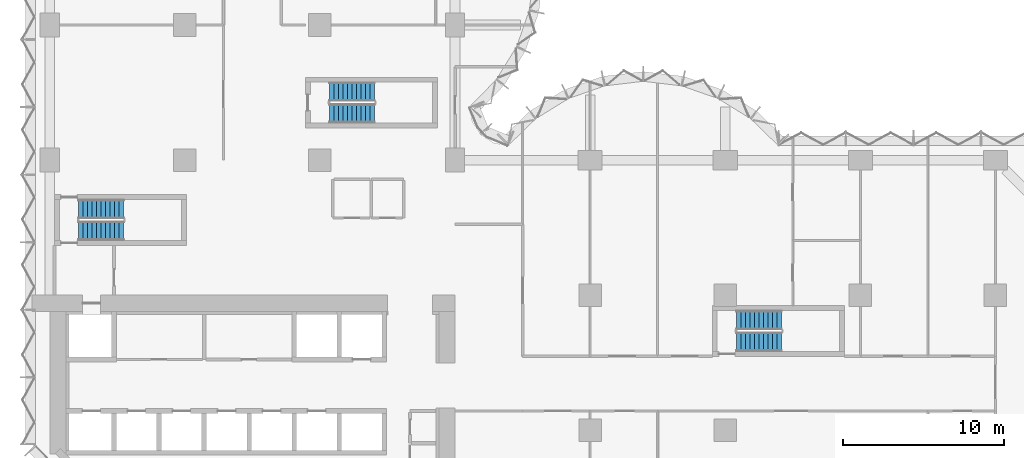
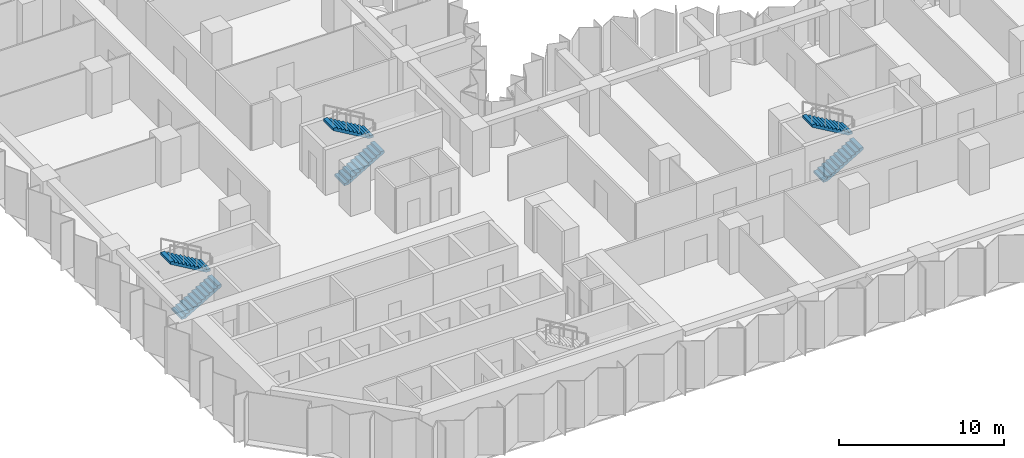
# One storey, part 12 of 15: 6 stair flights, 3 elements without a shape of their own.
"""IFC4 building model written with IfcOpenShell, lengths in metres."""

import ifcopenshell
import ifcopenshell.guid

model = None  # the IFC model being written
_history = None  # IfcOwnerHistory: only IFC2X3 demands one
_inside = {}  # id of a spatial element -> (the spatial element, [elements in it])
_under = {}  # id of a project, library or spatial element -> (it, [spatial elements below it])
_declared = {}  # id of a project -> (the project, [libraries it declares])
_typed = {}  # id of a type object -> (the type object, [elements of that type])
_made_of = {}  # id of a material, layer set ... -> (it, [elements and type objects made of it])


def new_model(schema):
    """Start an empty IFC model of exactly this schema.

    Asked for "IFC4X3", IfcOpenShell would pick the latest addendum, in which some entities
    have other attributes; the version numbers below select the first issue.
    IFC2X3 requires an IfcOwnerHistory on every rooted entity: one is made here for all.
    """
    global model, _history
    if schema == "IFC4X3":
        model = ifcopenshell.file(schema_version=(4, 3, 0, 0))
    else:
        model = ifcopenshell.file(schema=schema)
    _inside.clear()
    _under.clear()
    _declared.clear()
    _typed.clear()
    _made_of.clear()
    _history = None
    if model.schema == "IFC2X3":
        org = make("IfcOrganization", Name="unknown")
        user = make(
            "IfcPersonAndOrganization",
            ThePerson=make("IfcPerson", FamilyName="unknown"),
            TheOrganization=org,
        )
        app = make(
            "IfcApplication",
            ApplicationDeveloper=org,
            Version="unknown",
            ApplicationFullName="unknown",
            ApplicationIdentifier="unknown",
        )
        _history = make(
            "IfcOwnerHistory",
            OwningUser=user,
            OwningApplication=app,
            ChangeAction="ADDED",
            CreationDate=0,
        )
    return model


def make(cls, **values):
    """One entity of the class cls with the attributes given. An attribute that is None is left unset."""
    return model.create_entity(
        cls, **{name: value for name, value in values.items() if value is not None}
    )


def rooted(cls, **values):
    """An entity with a GlobalId (a new one), such as an element, a storey or a relation."""
    return make(cls, GlobalId=ifcopenshell.guid.new(), OwnerHistory=_history, **values)


def si_unit(unit_type, name, prefix=None):
    """IfcSIUnit, for example si_unit("LENGTHUNIT", "METRE", prefix="MILLI")."""
    return make("IfcSIUnit", UnitType=unit_type, Prefix=prefix, Name=name)


def assignment(units):
    """IfcUnitAssignment: the units of a project."""
    return None if units is None else make("IfcUnitAssignment", Units=units)


def point(xyz):
    """IfcCartesianPoint."""
    return None if xyz is None else make("IfcCartesianPoint", Coordinates=xyz)


def direction(xyz):
    """IfcDirection."""
    return None if xyz is None else make("IfcDirection", DirectionRatios=xyz)


def frame(location, z_axis=None, x_axis=None):
    """IfcAxis2Placement3D, a coordinate frame: its origin and axes. An axis left out is left unset."""
    return make(
        "IfcAxis2Placement3D",
        Location=point(location),
        Axis=direction(z_axis),
        RefDirection=direction(x_axis),
    )


def origin():
    """The frame at (0, 0, 0) with its axes left unset."""
    return frame((0.0, 0.0, 0.0))


def place(relative_to, where):
    """IfcLocalPlacement: puts the frame where relative to a parent placement (None: the world)."""
    return make(
        "IfcLocalPlacement", PlacementRelTo=relative_to, RelativePlacement=where
    )


def context(
    kind, dimensions, precision=None, world=None, true_north=None, identifier=None
):
    """IfcGeometricRepresentationContext, for example the 3D "Model" context."""
    return make(
        "IfcGeometricRepresentationContext",
        ContextIdentifier=identifier,
        ContextType=kind,
        CoordinateSpaceDimension=dimensions,
        Precision=precision,
        WorldCoordinateSystem=world,
        TrueNorth=true_north,
    )


def subcontext(parent, identifier, kind, view, scale=None):
    """IfcGeometricRepresentationSubContext, for example "Body" below "Model"."""
    return make(
        "IfcGeometricRepresentationSubContext",
        ContextIdentifier=identifier,
        ContextType=kind,
        ParentContext=parent,
        TargetScale=scale,
        TargetView=view,
    )


def project(units=None, contexts=None):
    """IfcProject with its units and contexts."""
    return rooted(
        "IfcProject",
        Name="project",
        RepresentationContexts=contexts,
        UnitsInContext=assignment(units),
    )


def spatial(cls, under=None, at=None, **own):
    """A site, building, storey or space (cls), placed at a placement, below another one or the project."""
    s = rooted(cls, ObjectPlacement=at, **own)
    if under is not None:
        _under.setdefault(under.id(), (under, []))[1].append(s)
    return s


def polyline(points):
    """IfcPolyline through the points."""
    return make("IfcPolyline", Points=[point(p) for p in points])


def outline(outer, holes=None, kind="AREA"):
    """IfcArbitraryClosedProfileDef: a profile drawn as a closed curve; with holes, ...WithVoids."""
    if holes is None:
        return make("IfcArbitraryClosedProfileDef", ProfileType=kind, OuterCurve=outer)
    return make(
        "IfcArbitraryProfileDefWithVoids",
        ProfileType=kind,
        OuterCurve=outer,
        InnerCurves=holes,
    )


def extrude(swept, where, along, depth):
    """IfcExtrudedAreaSolid: the profile swept, set in the frame where, extruded along a direction by depth."""
    return make(
        "IfcExtrudedAreaSolid",
        SweptArea=swept,
        Position=where,
        ExtrudedDirection=direction(along),
        Depth=depth,
    )


def shape(context_of_items, identifier, shape_type, items):
    """IfcShapeRepresentation: the items that make up one representation, for example the "Body"."""
    return make(
        "IfcShapeRepresentation",
        ContextOfItems=context_of_items,
        RepresentationIdentifier=identifier,
        RepresentationType=shape_type,
        Items=items,
    )


def material(Name=None, Category=None):
    """IfcMaterial."""
    return make("IfcMaterial", Name=Name, Category=Category)


def made_of(thing, what):
    """Note that an element or type object is made of a material, layer set ...; save() writes the relation."""
    if what is not None:
        _made_of.setdefault(what.id(), (what, []))[1].append(thing)
    return thing


def type_object(cls, material=None, **own):
    """A type object (cls), such as IfcWallType, which elements share."""
    return made_of(rooted(cls, **own), material)


def element(
    cls,
    number,
    at=None,
    inside=None,
    cuts=None,
    type_object=None,
    material=None,
    context=None,
    identifier="Body",
    shape_type=None,
    held_by="IfcProductDefinitionShape",
    body=None,
    shapes=None,
    **own,
):
    """One element of the class cls, such as IfcWall. Its Tag is "e" and its number.

    at: its placement. inside: the storey or other place that contains it. cuts: it is an
    opening in that element (IfcRelVoidsElement). A single representation is given by context,
    identifier, shape_type and body (its items); several are given by shapes. held_by: the class
    of the entity that holds the representations. save() writes the other relations.
    """
    e = rooted(cls, Tag="e%d" % number, ObjectPlacement=at, **own)
    if body is not None:
        shapes = [shape(context, identifier, shape_type, body)]
    if shapes is not None:
        e.Representation = make(held_by, Representations=shapes)
    if inside is not None:
        _inside.setdefault(inside.id(), (inside, []))[1].append(e)
    if cuts is not None:
        rooted(
            "IfcRelVoidsElement", RelatingBuildingElement=cuts, RelatedOpeningElement=e
        )
    if type_object is not None:
        _typed.setdefault(type_object.id(), (type_object, []))[1].append(e)
    return made_of(e, material)


def aggregate(whole, parts):
    """IfcRelAggregates: a whole, such as a stair, and the parts it consists of."""
    return rooted("IfcRelAggregates", RelatingObject=whole, RelatedObjects=parts)


def save(model, path):
    """Write the relations noted so far, then the file.

    IfcRelAggregates (storeys below a building ...), IfcRelContainedInSpatialStructure (elements
    in a storey), IfcRelDefinesByType, IfcRelAssociatesMaterial and IfcRelDeclares: one each for
    every whole, place, type object, material and project.
    """
    for whole, parts in _under.values():
        aggregate(whole, parts)
    for where, things in _inside.values():
        rooted(
            "IfcRelContainedInSpatialStructure",
            RelatedElements=things,
            RelatingStructure=where,
        )
    for kind, things in _typed.values():
        rooted("IfcRelDefinesByType", RelatedObjects=things, RelatingType=kind)
    for what, things in _made_of.values():
        rooted("IfcRelAssociatesMaterial", RelatedObjects=things, RelatingMaterial=what)
    for by, libraries in _declared.values():
        rooted("IfcRelDeclares", RelatingContext=by, RelatedDefinitions=libraries)
    model.write(path)


model = new_model("IFC4")

# Units and contexts
model_context = context("Model", 3, precision=1e-05, world=origin(), true_north=direction((0.0, 1.0)))
body_context = subcontext(model_context, "Body", "Model", "MODEL_VIEW")
ifc_project = project(units=[si_unit("LENGTHUNIT", "METRE"), si_unit("AREAUNIT", "SQUARE_METRE"), si_unit("VOLUMEUNIT", "CUBIC_METRE"), si_unit("PLANEANGLEUNIT", "RADIAN"), si_unit("MASSUNIT", "GRAM", prefix="KILO")], contexts=[model_context])

# Site, building, storey
site_placement = place(None, origin())
site = spatial("IfcSite", under=ifc_project, at=site_placement, CompositionType="ELEMENT")
building_placement = place(site_placement, origin())
building = spatial("IfcBuilding", under=site, at=building_placement, Name="Brevane Broadcast Tower", CompositionType="ELEMENT")
storey_placement = place(building_placement, frame((0.0, 0.0, 76.10009765625)))
storey = spatial("IfcBuildingStorey", under=building, at=storey_placement, Name="L17", CompositionType="ELEMENT", Elevation=76.10009765625)

# Stair, stair flights
ifc_material = material(Name="Concrete C50/60", Category="concrete")
stair_type = type_object("IfcStairType", Name="Exit stair 22 risers", PredefinedType="HALF_TURN_STAIR", material=ifc_material)
stair_1_placement = place(storey_placement, origin())
stair_1 = element("IfcStair", 1, at=stair_1_placement, inside=storey, type_object=stair_type, Name="L17 Exit stair ST-1", PredefinedType="HALF_TURN_STAIR")
stair_flight_type = type_object("IfcStairFlightType", Name="Exit stair flight 22 risers", PredefinedType="STRAIGHT", material=ifc_material)
stair_flight_1_placement = place(storey_placement, frame((1.800048828125, 20.800048828125, 0.0), z_axis=(0.0, 0.0, 1.0), x_axis=(1.0, 0.0, 0.0)))
stair_flight_1 = element("IfcStairFlight", 2, at=stair_flight_1_placement, type_object=stair_flight_type, Name="ST-1 flight 1", NumberOfRisers=11, NumberOfTreads=10, PredefinedType="STRAIGHT", RiserHeight=0.163636364, TreadLength=0.28, context=body_context, shape_type="SweptSolid", body=[
    extrude(outline(polyline([(0.0, 0.0), (0.0, 0.16357421875), (0.280029296875, 0.16357421875), (0.280029296875, 0.327392578125), (0.56005859375, 0.327392578125), (0.56005859375, 0.490966796875), (0.840087890625, 0.490966796875), (0.840087890625, 0.654541015625), (1.1201171875, 0.654541015625), (1.1201171875, 0.818115234375), (1.39990234375, 0.818115234375), (1.39990234375, 0.98193359375), (1.679931640625, 0.98193359375), (1.679931640625, 1.1455078125), (1.9599609375, 1.1455078125), (1.9599609375, 1.30908203125), (2.239990234375, 1.30908203125), (2.239990234375, 1.47265625), (2.52001953125, 1.47265625), (2.52001953125, 1.636474609375), (2.800048828125, 1.636474609375), (2.800048828125, 1.800048828125), (2.800048828125, 1.462646484375), (0.297119140625, 0.0), (0.0, 0.0)])), frame((0.0, 0.60009765625, 0.0), z_axis=(0.0, -1.0, 0.0), x_axis=(1.0, 0.0, 0.0)), (0.0, 0.0, 1.0), 1.199951171875),
])
stair_flight_2_placement = place(storey_placement, frame((4.60009765625, 22.14990234375, 1.7998046875), z_axis=(0.0, 0.0, 1.0), x_axis=(-1.0, 0.0, 0.0)))
stair_flight_2 = element("IfcStairFlight", 3, at=stair_flight_2_placement, type_object=stair_flight_type, Name="ST-1 flight 2", NumberOfRisers=11, NumberOfTreads=10, PredefinedType="STRAIGHT", RiserHeight=0.163636364, TreadLength=0.28, context=body_context, shape_type="SweptSolid", body=[
    extrude(outline(polyline([(0.0, 0.0), (0.0, 0.16357421875), (0.280029296875, 0.16357421875), (0.280029296875, 0.327392578125), (0.56005859375, 0.327392578125), (0.56005859375, 0.490966796875), (0.840087890625, 0.490966796875), (0.840087890625, 0.654541015625), (1.1201171875, 0.654541015625), (1.1201171875, 0.818115234375), (1.39990234375, 0.818115234375), (1.39990234375, 0.98193359375), (1.679931640625, 0.98193359375), (1.679931640625, 1.1455078125), (1.9599609375, 1.1455078125), (1.9599609375, 1.30908203125), (2.239990234375, 1.30908203125), (2.239990234375, 1.47265625), (2.52001953125, 1.47265625), (2.52001953125, 1.636474609375), (2.800048828125, 1.636474609375), (2.800048828125, 1.800048828125), (2.800048828125, 1.462646484375), (0.297119140625, 0.0), (0.0, 0.0)])), frame((0.0, 0.60009765625, 0.0), z_axis=(0.0, -1.0, 0.0), x_axis=(1.0, 0.0, 0.0)), (0.0, 0.0, 1.0), 1.199951171875),
])
aggregate(stair_1, [stair_flight_1, stair_flight_2])

stair_2_placement = place(storey_placement, origin())
stair_2 = element("IfcStair", 4, at=stair_2_placement, inside=storey, type_object=stair_type, Name="L17 Exit stair ST-3", PredefinedType="HALF_TURN_STAIR")
stair_flight_3_placement = place(storey_placement, frame((17.39990234375, 28.10009765625, 0.0), z_axis=(0.0, 0.0, 1.0), x_axis=(1.0, 0.0, 0.0)))
stair_flight_3 = element("IfcStairFlight", 5, at=stair_flight_3_placement, type_object=stair_flight_type, Name="ST-3 flight 1", NumberOfRisers=11, NumberOfTreads=10, PredefinedType="STRAIGHT", RiserHeight=0.163636364, TreadLength=0.28, context=body_context, shape_type="SweptSolid", body=[
    extrude(outline(polyline([(0.0, 0.0), (0.0, 0.16357421875), (0.280029296875, 0.16357421875), (0.280029296875, 0.327392578125), (0.56005859375, 0.327392578125), (0.56005859375, 0.490966796875), (0.840087890625, 0.490966796875), (0.840087890625, 0.654541015625), (1.1201171875, 0.654541015625), (1.1201171875, 0.818115234375), (1.39990234375, 0.818115234375), (1.39990234375, 0.98193359375), (1.679931640625, 0.98193359375), (1.679931640625, 1.1455078125), (1.9599609375, 1.1455078125), (1.9599609375, 1.30908203125), (2.239990234375, 1.30908203125), (2.239990234375, 1.47265625), (2.52001953125, 1.47265625), (2.52001953125, 1.636474609375), (2.800048828125, 1.636474609375), (2.800048828125, 1.800048828125), (2.800048828125, 1.462646484375), (0.297119140625, 0.0), (0.0, 0.0)])), frame((0.0, 0.60009765625, 0.0), z_axis=(0.0, -1.0, 0.0), x_axis=(1.0, 0.0, 0.0)), (0.0, 0.0, 1.0), 1.199951171875),
])
stair_flight_4_placement = place(storey_placement, frame((20.199951171875, 29.449951171875, 1.7998046875), z_axis=(0.0, 0.0, 1.0), x_axis=(-1.0, 0.0, 0.0)))
stair_flight_4 = element("IfcStairFlight", 6, at=stair_flight_4_placement, type_object=stair_flight_type, Name="ST-3 flight 2", NumberOfRisers=11, NumberOfTreads=10, PredefinedType="STRAIGHT", RiserHeight=0.163636364, TreadLength=0.28, context=body_context, shape_type="SweptSolid", body=[
    extrude(outline(polyline([(0.0, 0.0), (0.0, 0.16357421875), (0.280029296875, 0.16357421875), (0.280029296875, 0.327392578125), (0.56005859375, 0.327392578125), (0.56005859375, 0.490966796875), (0.840087890625, 0.490966796875), (0.840087890625, 0.654541015625), (1.1201171875, 0.654541015625), (1.1201171875, 0.818115234375), (1.39990234375, 0.818115234375), (1.39990234375, 0.98193359375), (1.679931640625, 0.98193359375), (1.679931640625, 1.1455078125), (1.9599609375, 1.1455078125), (1.9599609375, 1.30908203125), (2.239990234375, 1.30908203125), (2.239990234375, 1.47265625), (2.52001953125, 1.47265625), (2.52001953125, 1.636474609375), (2.800048828125, 1.636474609375), (2.800048828125, 1.800048828125), (2.800048828125, 1.462646484375), (0.297119140625, 0.0), (0.0, 0.0)])), frame((0.0, 0.60009765625, 0.0), z_axis=(0.0, -1.0, 0.0), x_axis=(1.0, 0.0, 0.0)), (0.0, 0.0, 1.0), 1.199951171875),
])
aggregate(stair_2, [stair_flight_3, stair_flight_4])

stair_3_placement = place(storey_placement, origin())
stair_3 = element("IfcStair", 7, at=stair_3_placement, inside=storey, type_object=stair_type, Name="L17 Exit stair ST-4", PredefinedType="HALF_TURN_STAIR")
stair_flight_5_placement = place(storey_placement, frame((42.699951171875, 13.89990234375, 0.0), z_axis=(0.0, 0.0, 1.0), x_axis=(1.0, 0.0, 0.0)))
stair_flight_5 = element("IfcStairFlight", 8, at=stair_flight_5_placement, type_object=stair_flight_type, Name="ST-4 flight 1", NumberOfRisers=11, NumberOfTreads=10, PredefinedType="STRAIGHT", RiserHeight=0.163636364, TreadLength=0.28, context=body_context, shape_type="SweptSolid", body=[
    extrude(outline(polyline([(0.0, 0.0), (0.0, 0.16357421875), (0.280029296875, 0.16357421875), (0.280029296875, 0.327392578125), (0.56005859375, 0.327392578125), (0.56005859375, 0.490966796875), (0.840087890625, 0.490966796875), (0.840087890625, 0.654541015625), (1.1201171875, 0.654541015625), (1.1201171875, 0.818115234375), (1.39990234375, 0.818115234375), (1.39990234375, 0.98193359375), (1.679931640625, 0.98193359375), (1.679931640625, 1.1455078125), (1.9599609375, 1.1455078125), (1.9599609375, 1.30908203125), (2.239990234375, 1.30908203125), (2.239990234375, 1.47265625), (2.52001953125, 1.47265625), (2.52001953125, 1.636474609375), (2.800048828125, 1.636474609375), (2.800048828125, 1.800048828125), (2.800048828125, 1.462646484375), (0.297119140625, 0.0), (0.0, 0.0)])), frame((0.0, 0.60009765625, 0.0), z_axis=(0.0, -1.0, 0.0), x_axis=(1.0, 0.0, 0.0)), (0.0, 0.0, 1.0), 1.199951171875),
])
stair_flight_6_placement = place(storey_placement, frame((45.5, 15.25, 1.7998046875), z_axis=(0.0, 0.0, 1.0), x_axis=(-1.0, 0.0, 0.0)))
stair_flight_6 = element("IfcStairFlight", 9, at=stair_flight_6_placement, type_object=stair_flight_type, Name="ST-4 flight 2", NumberOfRisers=11, NumberOfTreads=10, PredefinedType="STRAIGHT", RiserHeight=0.163636364, TreadLength=0.28, context=body_context, shape_type="SweptSolid", body=[
    extrude(outline(polyline([(0.0, 0.0), (0.0, 0.16357421875), (0.280029296875, 0.16357421875), (0.280029296875, 0.327392578125), (0.56005859375, 0.327392578125), (0.56005859375, 0.490966796875), (0.840087890625, 0.490966796875), (0.840087890625, 0.654541015625), (1.1201171875, 0.654541015625), (1.1201171875, 0.818115234375), (1.39990234375, 0.818115234375), (1.39990234375, 0.98193359375), (1.679931640625, 0.98193359375), (1.679931640625, 1.1455078125), (1.9599609375, 1.1455078125), (1.9599609375, 1.30908203125), (2.239990234375, 1.30908203125), (2.239990234375, 1.47265625), (2.52001953125, 1.47265625), (2.52001953125, 1.636474609375), (2.800048828125, 1.636474609375), (2.800048828125, 1.800048828125), (2.800048828125, 1.462646484375), (0.297119140625, 0.0), (0.0, 0.0)])), frame((0.0, 0.60009765625, 0.0), z_axis=(0.0, -1.0, 0.0), x_axis=(1.0, 0.0, 0.0)), (0.0, 0.0, 1.0), 1.199951171875),
])
aggregate(stair_3, [stair_flight_5, stair_flight_6])

save(model, "model.ifc")
